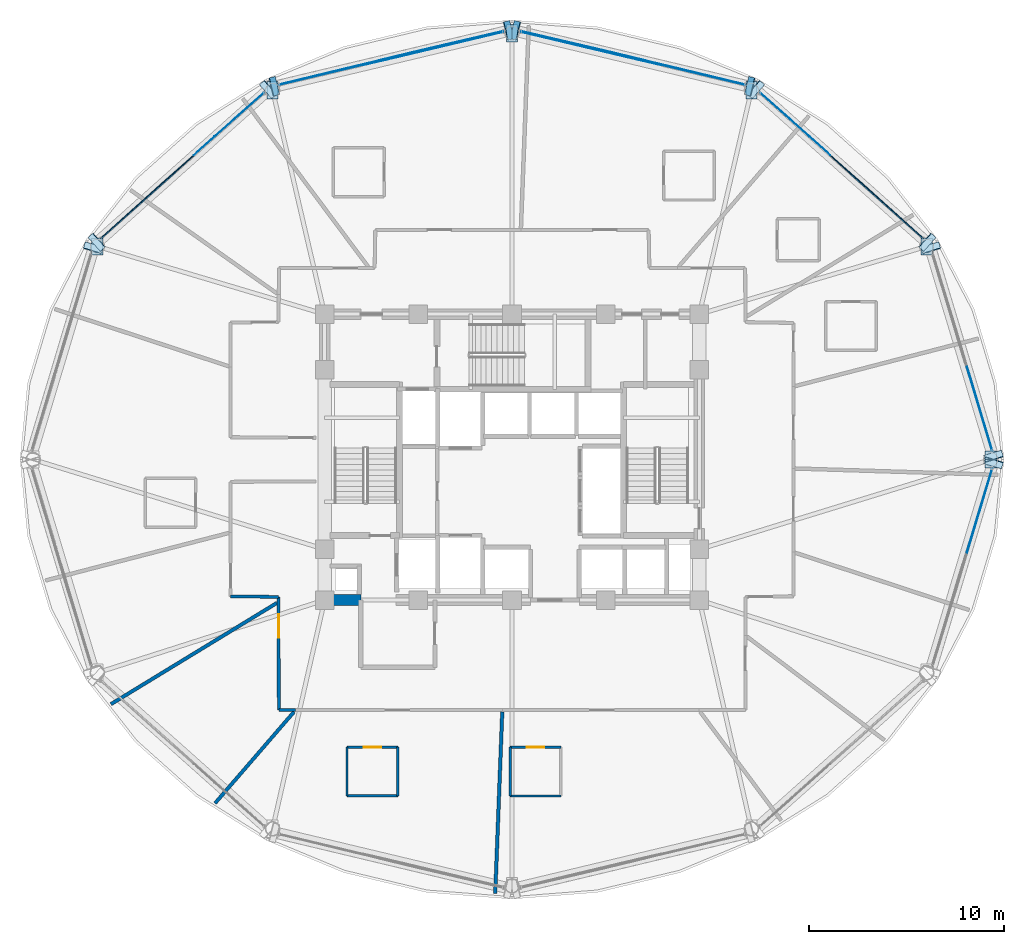
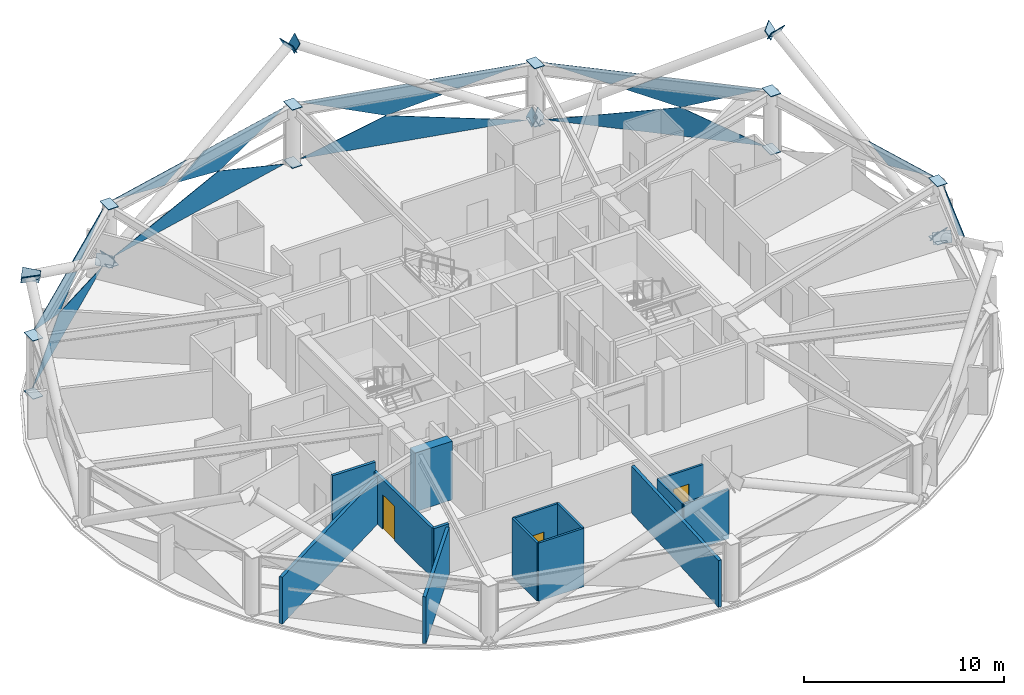
# One storey, part 21 of 29: 38 plates, 14 walls, 3 doors, 3 openings, 6 elements without a shape of their own.
"""IFC4 building model written with IfcOpenShell, lengths in metres."""

from ifc_helpers import new_model, si_unit, direction, frame, frame_2d, origin, place, context, subcontext, project, spatial, polyline, rectangle, outline, extrude, material, layer, layer_set, type_object, element, fill, aggregate, save


model = new_model("IFC4")

# Units and contexts
model_context = context("Model", 3, precision=1e-05, world=origin(), true_north=direction((0.0, 1.0)))
body_context = subcontext(model_context, "Body", "Model", "MODEL_VIEW")
ifc_project = project(units=[si_unit("LENGTHUNIT", "METRE"), si_unit("AREAUNIT", "SQUARE_METRE"), si_unit("VOLUMEUNIT", "CUBIC_METRE"), si_unit("PLANEANGLEUNIT", "RADIAN"), si_unit("MASSUNIT", "GRAM", prefix="KILO")], contexts=[model_context])

# Site, building, storey
site_placement = place(None, origin())
site = spatial("IfcSite", under=ifc_project, at=site_placement, CompositionType="ELEMENT")
building_placement = place(site_placement, origin())
building = spatial("IfcBuilding", under=site, at=building_placement, Name="Vantalir Tower", CompositionType="ELEMENT")
storey_placement = place(building_placement, frame((0.0, 0.0, 164.699951171875)))
storey = spatial("IfcBuildingStorey", under=building, at=storey_placement, Name="L41", CompositionType="ELEMENT", Elevation=164.699951171875)

# Curtain wall, plate
ifc_material_1 = material(Name="Champagne-silver PVDF aluminium and double-silver Low-E glass", Category="aluminium")
ifc_layer_1 = layer(ifc_material_1, 0.199951171875)
ifc_layer_set_1 = layer_set([ifc_layer_1], Name="Champagne-silver PVDF aluminium and double-silver Low-E glass")
curtain_wall_type = type_object("IfcCurtainWallType", Name="CW-DIAMOND-Z2", PredefinedType="USERDEFINED", material=ifc_layer_set_1)
curtain_wall_1_placement = place(storey_placement, origin())
curtain_wall_1 = element("IfcCurtainWall", 1, at=curtain_wall_1_placement, inside=storey, type_object=curtain_wall_type, Name="L41 Quilted Pyramid-Diamond Curtain Wall S01", ObjectType="UNITISED CURTAIN WALL", PredefinedType="USERDEFINED")
ifc_material_2 = material(Name="Double-silver Low-E laminated glass IGU", Category="glass")
ifc_layer_2 = layer(ifc_material_2, 0.028076171875)
ifc_layer_set_2 = layer_set([ifc_layer_2], Name="Double-silver Low-E laminated glass IGU")
plate_type_1 = type_object("IfcPlateType", Name="CWP-IGU-28", PredefinedType="CURTAIN_PANEL", material=ifc_layer_set_2)
plate_1_placement = place(storey_placement, frame((56.125732421875, 25.44482421875, 3.52392578125), z_axis=(0.9575541234, 0.28792231701, 0.013814489769), x_axis=(-0.287949794509, 0.957645506355, 0.0)))
plate_1 = element("IfcPlate", 2, at=plate_1_placement, type_object=plate_type_1, Name="CW-L41-S01 Pyramid Diamond Facet 2U Infill Light", PredefinedType="CURTAIN_PANEL", context=body_context, shape_type="SweptSolid", body=[
    extrude(outline(polyline([(0.0, 0.0), (4.539433370595973, -3.469446951953614e-18), (3.1908924635289506, -0.8391914076434289), (0.0, 0.0)])), origin(), (0.0, 0.0, -1.0), 0.028076171875),
])
aggregate(curtain_wall_1, [plate_1])

# Curtain wall, plates
curtain_wall_2_placement = place(storey_placement, origin())
curtain_wall_2 = element("IfcCurtainWall", 3, at=curtain_wall_2_placement, inside=storey, type_object=curtain_wall_type, Name="L41 Quilted Pyramid-Diamond Curtain Wall S02", ObjectType="UNITISED CURTAIN WALL", PredefinedType="USERDEFINED")
plate_2_placement = place(storey_placement, frame((52.573486328125, 36.32177734375, 0.046630859375), z_axis=(-0.66528334126, -0.746467581282, 0.013572985559), x_axis=(-0.746536546597, 0.665344410153, -2.1773166e-05)))
plate_2 = element("IfcPlate", 4, at=plate_2_placement, type_object=plate_type_1, Name="CW-L41-S02 Pyramid Diamond Facet 1L", PredefinedType="CURTAIN_PANEL", context=body_context, shape_type="SweptSolid", body=[
    extrude(outline(polyline([(0.0, 0.0), (11.212913349702017, -2.439454888092385e-18), (4.262443968601762, -1.726814376634722), (0.0, 0.0)])), origin(), (0.0, 0.0, -1.0), 0.028076171875),
])
plate_3_placement = place(storey_placement, frame((52.573486328125, 36.32177734375, 3.5234375), z_axis=(0.665284746935, 0.746466358642, 0.013571326833), x_axis=(-0.746535110684, 0.665346021643, 1.3054e-08)))
plate_3 = element("IfcPlate", 5, at=plate_3_placement, type_object=plate_type_1, Name="CW-L41-S02 Pyramid Diamond Facet 2U", PredefinedType="CURTAIN_PANEL", context=body_context, shape_type="SweptSolid", body=[
    extrude(outline(polyline([(0.0, 0.0), (5.2773055577089405, -6.938893903907228e-18), (7.0349053178942125, -1.0379374772433476), (4.262481590385309, -1.7267215086465038), (0.0, 0.0)])), origin(), (0.0, 0.0, -1.0), 0.028076171875),
])
plate_4_placement = place(storey_placement, frame((47.818359375, 40.6025390625, 3.52392578125), z_axis=(0.665290625573, 0.746460928096, 0.013581839025), x_axis=(-0.746530243373, 0.665351480917, 5.0705036e-05)))
plate_4 = element("IfcPlate", 6, at=plate_4_placement, type_object=plate_type_1, Name="CW-L41-S02 Pyramid Diamond Facet 2U Infill Light", PredefinedType="CURTAIN_PANEL", context=body_context, shape_type="SweptSolid", body=[
    extrude(outline(polyline([(0.0, 0.0), (4.8149186905465395, -3.2526065174565133e-18), (1.4258783567562363, -0.8419468343074633), (0.0, 0.0)])), origin(), (0.0, 0.0, -1.0), 0.028076171875),
])
aggregate(curtain_wall_2, [plate_2, plate_3, plate_4])

curtain_wall_3_placement = place(storey_placement, origin())
curtain_wall_3 = element("IfcCurtainWall", 7, at=curtain_wall_3_placement, inside=storey, type_object=curtain_wall_type, Name="L41 Quilted Pyramid-Diamond Curtain Wall S03", ObjectType="UNITISED CURTAIN WALL", PredefinedType="USERDEFINED")
plate_5_placement = place(storey_placement, frame((43.42041015625, 44.190673828125, 0.04638671875), z_axis=(-0.23230664028, -0.972544806616, 0.013792171923), x_axis=(-0.972637253993, 0.232329016088, 2.0688247e-05)))
plate_5 = element("IfcPlate", 8, at=plate_5_placement, type_object=plate_type_1, Name="CW-L41-S03 Pyramid Diamond Facet 1L", PredefinedType="CURTAIN_PANEL", context=body_context, shape_type="SweptSolid", body=[
    extrude(outline(polyline([(0.0, 0.0), (11.80093328383699, 3.63207727782644e-18), (7.310838030536996, -1.727063805505865), (0.0, 0.0)])), origin(), (0.0, 0.0, -1.0), 0.028076171875),
])
plate_6_placement = place(storey_placement, frame((37.353271484375, 45.639892578125, 3.523681640625), z_axis=(0.232307073928, 0.972544654248, 0.013795611507), x_axis=(-0.972637072633, 0.232329772121, -4.3895257e-05)))
plate_6 = element("IfcPlate", 9, at=plate_6_placement, type_object=plate_type_1, Name="CW-L41-S03 Pyramid Diamond Facet 2U", PredefinedType="CURTAIN_PANEL", context=body_context, shape_type="SweptSolid", body=[
    extrude(outline(polyline([(0.0, 0.0), (5.563112621645812, -1.4907779871675686e-18), (1.0730574642507675, -1.7271680449598936), (-1.8432050595736666, -1.038265705588733), (0.0, 0.0)])), origin(), (0.0, 0.0, -1.0), 0.028076171875),
])
plate_7_placement = place(storey_placement, frame((43.427978515625, 44.221923828125, 3.524169921875), z_axis=(0.232273422085, 0.972551685024, 0.01386641082), x_axis=(-0.972645042347, 0.232296403945, -4.8074587e-05)))
plate_7 = element("IfcPlate", 10, at=plate_7_placement, type_object=plate_type_1, Name="CW-L41-S03 Pyramid Diamond Facet 2U Infill Light", PredefinedType="CURTAIN_PANEL", context=body_context, shape_type="SweptSolid", body=[
    extrude(outline(polyline([(0.0, 0.0), (5.078371769704653, 1.81603863891322e-18), (3.5779308257784908, -0.8451240901960686), (0.0, 0.0)])), origin(), (0.0, 0.0, -1.0), 0.028076171875),
])
aggregate(curtain_wall_3, [plate_5, plate_6, plate_7])

curtain_wall_4_placement = place(storey_placement, origin())
curtain_wall_4 = element("IfcCurtainWall", 11, at=curtain_wall_4_placement, inside=storey, type_object=curtain_wall_type, Name="L41 Quilted Pyramid-Diamond Curtain Wall S04", ObjectType="UNITISED CURTAIN WALL", PredefinedType="USERDEFINED")
plate_8_placement = place(storey_placement, frame((31.0576171875, 46.932373046875, 0.046630859375), z_axis=(0.23230664028, -0.972544806616, 0.013792171923), x_axis=(-0.972637253993, -0.232329016088, -2.0688247e-05)))
plate_8 = element("IfcPlate", 12, at=plate_8_placement, type_object=plate_type_1, Name="CW-L41-S04 Pyramid Diamond Facet 1L", PredefinedType="CURTAIN_PANEL", context=body_context, shape_type="SweptSolid", body=[
    extrude(outline(polyline([(0.0, 0.0), (11.80093328383699, -3.63207727782644e-18), (4.4900952532999945, -1.7270638055058651), (0.0, 0.0)])), origin(), (0.0, 0.0, -1.0), 0.028076171875),
])
plate_9_placement = place(storey_placement, frame((31.0576171875, 46.932373046875, 3.5234375), z_axis=(-0.232307073928, 0.972544654248, 0.013795611507), x_axis=(-0.972637072633, -0.232329772121, 4.3895257e-05)))
plate_9 = element("IfcPlate", 13, at=plate_9_placement, type_object=plate_type_1, Name="CW-L41-S04 Pyramid Diamond Facet 2U", PredefinedType="CURTAIN_PANEL", context=body_context, shape_type="SweptSolid", body=[
    extrude(outline(polyline([(0.0, 0.0), (5.563112621645812, 1.4907779871675686e-18), (7.4063176812194795, -1.038265705588733), (4.490055157395045, -1.7271680449598936), (0.0, 0.0)])), origin(), (0.0, 0.0, -1.0), 0.028076171875),
])
plate_10_placement = place(storey_placement, frame((24.511474609375, 45.401611328125, 3.52392578125), z_axis=(-0.232273422085, 0.972551685024, 0.01386641082), x_axis=(-0.972645042347, -0.232296403945, 4.8074587e-05)))
plate_10 = element("IfcPlate", 14, at=plate_10_placement, type_object=plate_type_1, Name="CW-L41-S04 Pyramid Diamond Facet 2U Infill Light", PredefinedType="CURTAIN_PANEL", context=body_context, shape_type="SweptSolid", body=[
    extrude(outline(polyline([(0.0, 0.0), (5.078371769704653, -1.81603863891322e-18), (1.5004409439261621, -0.8451240901960685), (0.0, 0.0)])), origin(), (0.0, 0.0, -1.0), 0.028076171875),
])
aggregate(curtain_wall_4, [plate_8, plate_9, plate_10])

curtain_wall_5_placement = place(storey_placement, origin())
curtain_wall_5 = element("IfcCurtainWall", 15, at=curtain_wall_5_placement, inside=storey, type_object=curtain_wall_type, Name="L41 Quilted Pyramid-Diamond Curtain Wall S05", ObjectType="UNITISED CURTAIN WALL", PredefinedType="USERDEFINED")
plate_11_placement = place(storey_placement, frame((18.79736328125, 43.7822265625, 0.04638671875), z_axis=(0.66528334126, -0.746467581282, 0.013572985559), x_axis=(-0.746536546597, -0.665344410153, 2.1773166e-05)))
plate_11 = element("IfcPlate", 16, at=plate_11_placement, type_object=plate_type_1, Name="CW-L41-S05 Pyramid Diamond Facet 1L", PredefinedType="CURTAIN_PANEL", context=body_context, shape_type="SweptSolid", body=[
    extrude(outline(polyline([(0.0, 0.0), (11.212913349702017, 2.439454888092385e-18), (6.950469381100256, -1.726814376634722), (0.0, 0.0)])), origin(), (0.0, 0.0, -1.0), 0.028076171875),
])
plate_12_placement = place(storey_placement, frame((14.3662109375, 39.8330078125, 3.5234375), z_axis=(-0.665284746935, 0.746466358642, 0.013571326833), x_axis=(-0.746535110684, -0.665346021643, -1.3054e-08)))
plate_12 = element("IfcPlate", 17, at=plate_12_placement, type_object=plate_type_1, Name="CW-L41-S05 Pyramid Diamond Facet 2U", PredefinedType="CURTAIN_PANEL", context=body_context, shape_type="SweptSolid", body=[
    extrude(outline(polyline([(0.0, 0.0), (5.2773055577089405, 6.938893903907228e-18), (1.0148239673236321, -1.7267215086465038), (-1.7575997601852713, -1.0379374772433476), (0.0, 0.0)])), origin(), (0.0, 0.0, -1.0), 0.028076171875),
])
plate_13_placement = place(storey_placement, frame((18.776123046875, 43.80615234375, 3.524169921875), z_axis=(-0.665290625573, 0.746460928096, 0.013581839025), x_axis=(-0.746530243373, -0.665351480917, -5.0705036e-05)))
plate_13 = element("IfcPlate", 18, at=plate_13_placement, type_object=plate_type_1, Name="CW-L41-S05 Pyramid Diamond Facet 2U Infill Light", PredefinedType="CURTAIN_PANEL", context=body_context, shape_type="SweptSolid", body=[
    extrude(outline(polyline([(0.0, 0.0), (4.8149186905465395, 3.2526065174565133e-18), (3.3890403337903034, -0.8419468343074633), (0.0, 0.0)])), origin(), (0.0, 0.0, -1.0), 0.028076171875),
])
aggregate(curtain_wall_5, [plate_11, plate_12, plate_13])

# Curtain wall, plate
curtain_wall_6_placement = place(storey_placement, origin())
curtain_wall_6 = element("IfcCurtainWall", 19, at=curtain_wall_6_placement, inside=storey, type_object=curtain_wall_type, Name="L41 Quilted Pyramid-Diamond Curtain Wall S12", ObjectType="UNITISED CURTAIN WALL", PredefinedType="USERDEFINED")
plate_14_placement = place(storey_placement, frame((54.818603515625, 20.2080078125, 3.52392578125), z_axis=(0.9575541234, -0.28792231701, 0.013814489769), x_axis=(0.287949794509, 0.957645506355, 0.0)))
plate_14 = element("IfcPlate", 20, at=plate_14_placement, type_object=plate_type_1, Name="CW-L41-S12 Pyramid Diamond Facet 2U Infill Light", PredefinedType="CURTAIN_PANEL", context=body_context, shape_type="SweptSolid", body=[
    extrude(outline(polyline([(0.0, 0.0), (4.539433370595973, 3.469446951953614e-18), (1.3485409070670233, -0.8391914076434289), (0.0, 0.0)])), origin(), (0.0, 0.0, -1.0), 0.028076171875),
])
aggregate(curtain_wall_6, [plate_14])

# Plates
ifc_material_3 = material(Name="Steel S460", Category="steel")
ifc_layer_3 = layer(ifc_material_3, 0.0400390625)
ifc_layer_set_3 = layer_set([ifc_layer_3], Name="Steel S460")
plate_type_2 = type_object("IfcPlateType", Name="PLT-KN-Z1", PredefinedType="USERDEFINED", material=ifc_layer_set_3)
plate_15_placement = place(storey_placement, frame((56.577880859375, 25.47900390625, -0.062744140625), z_axis=(-0.244366868744, 0.813065300334, 0.528402924721), x_axis=(-0.957678190256, -0.287841073569, 1.6593989e-05)))
element("IfcPlate", 21, at=plate_15_placement, inside=storey, type_object=plate_type_2, Name="Node Cap Plate MEM-DG-L41-R01L Start", ObjectType="FLANGE_PLATE", PredefinedType="USERDEFINED", context=body_context, shape_type="SweptSolid", body=[
    extrude(outline(polyline([(0.0, 0.0), (0.949875717600032, 0.0), (0.9499362094794686, 0.6199709225034394), (-0.00017331627248131672, 0.6200080586257846), (0.0, 0.0)])), origin(), (0.0, 0.0, -1.0), 0.0400390625),
])
plate_16_placement = place(storey_placement, frame((53.36669921875, 36.15966796875, 6.87744140625), z_axis=(-0.244404262537, 0.813080609117, 0.528362072382), x_axis=(-0.957670515675, -0.287866606966, 0.0)))
element("IfcPlate", 22, at=plate_16_placement, inside=storey, type_object=plate_type_2, Name="Node Cap Plate MEM-DG-L41-R01L End", ObjectType="FLANGE_PLATE", PredefinedType="USERDEFINED", context=body_context, shape_type="SweptSolid", body=[
    extrude(outline(polyline([(0.0, 0.0), (0.9498757180684223, 0.0), (0.9499362090110482, 0.6199709232211656), (6.0490942625959776e-05, 0.6199709232211656), (0.0, 0.0)])), origin(), (0.0, 0.0, -1.0), 0.0400390625),
])
plate_17_placement = place(storey_placement, frame((55.668212890625, 24.79443359375, -0.062744140625), z_axis=(-0.244366868744, -0.813065300334, 0.528402924721), x_axis=(0.957678190256, -0.287841073569, -1.6593989e-05)))
element("IfcPlate", 23, at=plate_17_placement, inside=storey, type_object=plate_type_2, Name="Node Cap Plate MEM-DG-L41-R01R Start", ObjectType="FLANGE_PLATE", PredefinedType="USERDEFINED", context=body_context, shape_type="SweptSolid", body=[
    extrude(outline(polyline([(0.0, 0.0), (0.949875717600032, 0.0), (0.9500490338725133, 0.6200080586257846), (-6.049187943658024e-05, 0.6199709225034395), (0.0, 0.0)])), origin(), (0.0, 0.0, -1.0), 0.0400390625),
])
plate_18_placement = place(storey_placement, frame((43.632080078125, 44.62841796875, -0.078125), z_axis=(-0.847356739208, 0.202407317279, 0.490935672396), x_axis=(-0.232339744414, -0.972634691445, -1.277077e-05)))
element("IfcPlate", 24, at=plate_18_placement, inside=storey, type_object=plate_type_2, Name="Node Cap Plate MEM-DG-L41-R07L Start", ObjectType="FLANGE_PLATE", PredefinedType="USERDEFINED", context=body_context, shape_type="SweptSolid", body=[
    extrude(outline(polyline([(0.0, 0.0), (0.9498253909615704, 1.3877787807814457e-17), (0.9498760962426865, 0.6201766793435843), (-0.00018675436034987924, 0.6201488290774598), (0.0, 0.0)])), origin(), (0.0, 0.0, -1.0), 0.0400390625),
])
plate_19_placement = place(storey_placement, frame((31.62158203125, 47.497314453125, 6.877685546875), z_axis=(-0.847356739208, 0.202407317279, 0.490935672396), x_axis=(-0.232325746861, -0.972638035028, 1.2767578e-05)))
element("IfcPlate", 25, at=plate_19_placement, inside=storey, type_object=plate_type_2, Name="Node Cap Plate MEM-DG-L41-R07L End", ObjectType="FLANGE_PLATE", PredefinedType="USERDEFINED", context=body_context, shape_type="SweptSolid", body=[
    extrude(outline(polyline([(0.0, 0.0), (0.9500628510112396, 0.0), (0.9498942757744965, 0.6201488342855489), (6.888522102741793e-05, 0.6201766775907386), (0.0, 0.0)])), origin(), (0.0, 0.0, -1.0), 0.0400390625),
])
for number, where, z_axis, x_axis, name in (
    (26, (43.811279296875, 43.494873046875, -0.071044921875), (0.642864288433, -0.572934816782, 0.508400631763), (0.665336277327, 0.746543795147, 0.0), "Node Cap Plate MEM-DG-L41-R07R Start"),
    (27, (52.59375, 35.667236328125, 6.87744140625), (0.642864288433, -0.572934816782, 0.508400631763), (0.665336277327, 0.746543795147, 0.0), "Node Cap Plate MEM-DG-L41-R07R End"),
):
    element("IfcPlate", number, at=place(storey_placement, frame(where, z_axis=z_axis, x_axis=x_axis)), inside=storey, type_object=plate_type_2, Name=name, ObjectType="FLANGE_PLATE", PredefinedType="USERDEFINED", context=body_context, shape_type="SweptSolid", body=[
        extrude(outline(polyline([(0.0, 0.0), (0.9500159538334854, -2.7755575615628914e-17), (0.9499907948217251, 0.6200473050069897), (-2.5159011760256256e-05, 0.6200473050069897), (0.0, 0.0)])), origin(), (0.0, 0.0, -1.0), 0.0400390625),
    ])
for number, where, z_axis, x_axis, name in (
    (28, (18.556640625, 44.2041015625, -0.071044921875), (-0.642864288433, -0.572934816782, 0.508400631763), (0.665336277327, -0.746543795147, 0.0), "Node Cap Plate MEM-DG-L41-R13L Start"),
    (29, (9.774169921875, 36.37646484375, 6.87744140625), (-0.642864288433, -0.572934816782, 0.508400631763), (0.665336277327, -0.746543795147, 0.0), "Node Cap Plate MEM-DG-L41-R13L End"),
):
    element("IfcPlate", number, at=place(storey_placement, frame(where, z_axis=z_axis, x_axis=x_axis)), inside=storey, type_object=plate_type_2, Name=name, ObjectType="FLANGE_PLATE", PredefinedType="USERDEFINED", context=body_context, shape_type="SweptSolid", body=[
        extrude(outline(polyline([(0.0, 0.0), (0.9500159538334854, 2.7755575615628914e-17), (0.9500411128452457, 0.6200473050069897), (2.5159011760256256e-05, 0.6200473050069897), (0.0, 0.0)])), origin(), (0.0, 0.0, -1.0), 0.0400390625),
    ])
plate_20_placement = place(storey_placement, frame((19.588623046875, 43.70458984375, -0.078125), z_axis=(0.847356739208, 0.202407317279, 0.490935672396), x_axis=(-0.232339744414, 0.972634691445, 1.277077e-05)))
element("IfcPlate", 30, at=plate_20_placement, inside=storey, type_object=plate_type_2, Name="Node Cap Plate MEM-DG-L41-R13R Start", ObjectType="FLANGE_PLATE", PredefinedType="USERDEFINED", context=body_context, shape_type="SweptSolid", body=[
    extrude(outline(polyline([(0.0, 0.0), (0.9498253909615704, -1.3877787807814457e-17), (0.9500121453219201, 0.6201488290774599), (-5.070528111623251e-05, 0.6201766793435843), (0.0, 0.0)])), origin(), (0.0, 0.0, -1.0), 0.0400390625),
])
plate_21_placement = place(storey_placement, frame((31.59912109375, 46.5732421875, 6.877685546875), z_axis=(0.847356739208, 0.202407317279, 0.490935672396), x_axis=(-0.232325746861, 0.972638035028, -1.2767578e-05)))
element("IfcPlate", 31, at=plate_21_placement, inside=storey, type_object=plate_type_2, Name="Node Cap Plate MEM-DG-L41-R13R End", ObjectType="FLANGE_PLATE", PredefinedType="USERDEFINED", context=body_context, shape_type="SweptSolid", body=[
    extrude(outline(polyline([(0.0, 0.0), (0.9500628510112396, 0.0), (0.949993965790212, 0.6201766775907386), (0.00016857523674299575, 0.6201488342855489), (0.0, 0.0)])), origin(), (0.0, 0.0, -1.0), 0.0400390625),
])
plate_22_placement = place(storey_placement, frame((10.54296875, 35.88623046875, 6.87744140625), z_axis=(0.244404262537, 0.813080609117, 0.528362072382), x_axis=(-0.957670515675, 0.287866606966, 0.0)))
element("IfcPlate", 32, at=plate_22_placement, inside=storey, type_object=plate_type_2, Name="Node Cap Plate MEM-DG-L41-R19R End", ObjectType="FLANGE_PLATE", PredefinedType="USERDEFINED", context=body_context, shape_type="SweptSolid", body=[
    extrude(outline(polyline([(0.0, 0.0), (0.9498757180684223, 0.0), (0.9498152271257964, 0.6199709232211656), (-6.0490942625959776e-05, 0.6199709232211656), (0.0, 0.0)])), origin(), (0.0, 0.0, -1.0), 0.0400390625),
])
ifc_layer_4 = layer(ifc_material_3, 0.035888671875)
ifc_layer_set_4 = layer_set([ifc_layer_4], Name="Steel S460")
plate_type_3 = type_object("IfcPlateType", Name="PLT-KN-Z2", PredefinedType="USERDEFINED", material=ifc_layer_set_4)
for number, where, z_axis, x_axis, name in (
    (33, (55.74609375, 25.43994140625, 3.59814453125), (0.0, 0.0, 1.0), (0.0, -1.0, 0.0), "L41 Ring Column Top Cap RC01"),
    (34, (55.74609375, 25.43994140625, 0.052978515625), (0.0, 0.0, 1.0), (0.0, -1.0, 0.0), "L41 Ring Column Base Cap RC01"),
):
    element("IfcPlate", number, at=place(storey_placement, frame(where, z_axis=z_axis, x_axis=x_axis)), inside=storey, type_object=plate_type_3, Name=name, ObjectType="FLANGE_PLATE", PredefinedType="USERDEFINED", context=body_context, shape_type="SweptSolid", body=[
        extrude(outline(polyline([(0.0, 0.0), (0.8798828125, 0.0), (0.8798828125, 0.579833984375), (0.0, 0.579833984375), (0.0, 0.0)])), origin(), (0.0, 0.0, -1.0), 0.035888671875),
    ])
for number, where, z_axis, x_axis, name in (
    (35, (52.458984375, 36.364013671875, 3.59814453125), (0.0, 0.0, 1.0), (0.0, -1.0, 0.0), "L41 Ring Column Top Cap RC02"),
    (36, (52.458984375, 36.364013671875, 0.052978515625), (0.0, 0.0, 1.0), (0.0, -1.0, 0.0), "L41 Ring Column Base Cap RC02"),
    (37, (43.47802734375, 44.361083984375, 3.59814453125), (0.0, 0.0, 1.0), (0.0, -1.0, 0.0), "L41 Ring Column Top Cap RC03"),
    (38, (43.47802734375, 44.361083984375, 0.052978515625), (0.0, 0.0, 1.0), (0.0, -1.0, 0.0), "L41 Ring Column Base Cap RC03"),
    (39, (31.2099609375, 47.2880859375, 3.59814453125), (0.0, 0.0, 1.0), (0.0, -1.0, 0.0), "L41 Ring Column Top Cap RC04"),
    (40, (31.2099609375, 47.2880859375, 0.052978515625), (0.0, 0.0, 1.0), (0.0, -1.0, 0.0), "L41 Ring Column Base Cap RC04"),
    (41, (18.94189453125, 44.361083984375, 3.59814453125), (0.0, 0.0, 1.0), (0.0, -1.0, 0.0), "L41 Ring Column Top Cap RC05"),
    (42, (18.94189453125, 44.361083984375, 0.052978515625), (0.0, 0.0, 1.0), (0.0, -1.0, 0.0), "L41 Ring Column Base Cap RC05"),
    (43, (9.9609375, 36.364013671875, 3.59814453125), (0.0, 0.0, 1.0), (0.0, -1.0, 0.0), "L41 Ring Column Top Cap RC06"),
    (44, (9.9609375, 36.364013671875, 0.052978515625), (0.0, 0.0, 1.0), (0.0, -1.0, 0.0), "L41 Ring Column Base Cap RC06"),
):
    element("IfcPlate", number, at=place(storey_placement, frame(where, z_axis=z_axis, x_axis=x_axis)), inside=storey, type_object=plate_type_3, Name=name, ObjectType="FLANGE_PLATE", PredefinedType="USERDEFINED", context=body_context, shape_type="SweptSolid", body=[
        extrude(outline(polyline([(0.0, 0.0), (0.880126953125, 0.0), (0.880126953125, 0.580078125), (0.0, 0.580078125), (0.0, 0.0)])), origin(), (0.0, 0.0, -1.0), 0.035888671875),
    ])

# Wall
ifc_material_4 = material(Name="Moisture-resistant en-suite partition", Category="gypsum")
ifc_layer_5 = layer(ifc_material_4, 0.125)
ifc_layer_set_5 = layer_set([ifc_layer_5], Name="Moisture-resistant en-suite partition")
wall_type_1 = type_object("IfcWallType", Name="WL-BATH-125", PredefinedType="PARTITIONING", material=ifc_layer_set_5)
wall_1_placement = place(storey_placement, frame((23.0458984375, 7.764892578125, 0.0), z_axis=(0.0, 0.0, 1.0), x_axis=(1.0, 0.0, 0.0)))
element("IfcWall", 45, at=wall_1_placement, inside=storey, type_object=wall_type_1, Name="L41 En-suite 10 South Wall", PredefinedType="PARTITIONING", context=body_context, shape_type="SweptSolid", body=[
    extrude(rectangle(XDim=2.60009765625, YDim=0.125, at=frame_2d((1.300048828125, 0.0))), origin(), (0.0, 0.0, 1.0), 3.550048828125),
])

# Wall, opening, door
wall_2_placement = place(storey_placement, frame((23.0458984375, 10.264892578125, 0.0), z_axis=(0.0, 0.0, 1.0), x_axis=(1.0, 0.0, 0.0)))
wall_2 = element("IfcWall", 46, at=wall_2_placement, inside=storey, type_object=wall_type_1, Name="L41 En-suite 10 North Wall", PredefinedType="PARTITIONING", context=body_context, shape_type="SweptSolid", body=[
    extrude(rectangle(XDim=2.60009765625, YDim=0.125, at=frame_2d((1.300048828125, 0.0))), origin(), (0.0, 0.0, 1.0), 3.550048828125),
])
opening_1_placement = place(wall_2_placement, frame((0.85009765625, 0.0, 0.0)))
opening_1 = element("IfcOpeningElement", 47, at=opening_1_placement, cuts=wall_2, Name="Opening D-WC", PredefinedType="OPENING", context=body_context, shape_type="SweptSolid", body=[
    extrude(rectangle(XDim=0.89990234375, YDim=2.10009765625, at=frame_2d((0.449951171875, 1.050048828125))), frame((0.0, 0.072509765625, 0.0), z_axis=(0.0, -1.0, 0.0), x_axis=(1.0, 0.0, 0.0)), (0.0, 0.0, 1.0), 0.14501953125),
])
ifc_material_5 = material(Name="Moisture-resistant hardwood door", Category="wood")
door_type_1 = type_object("IfcDoorType", Name="DR-ENSUITE-900", OperationType="NOTDEFINED", PredefinedType="DOOR", material=ifc_material_5)
door_1_placement = place(opening_1_placement, frame((0.89990234375, 0.0, 0.0), z_axis=(0.0, 0.0, 1.0), x_axis=(-1.0, 0.0, 0.0)))
door_1 = element("IfcDoor", 48, at=door_1_placement, inside=storey, type_object=door_type_1, Name="L41 En-suite 10 Door", OperationType="SINGLE_SWING_RIGHT", OverallHeight=2.10009765625, OverallWidth=0.89990234375, PredefinedType="DOOR", context=body_context, shape_type="SweptSolid", body=[
    extrude(rectangle(XDim=0.89990234375, YDim=2.10009765625, at=frame_2d((0.449951171875, 1.050048828125))), frame((0.0, 0.02490234375, 0.0), z_axis=(0.0, -1.0, 0.0), x_axis=(1.0, 0.0, 0.0)), (0.0, 0.0, 1.0), 0.050048828125),
])
fill(opening_1, door_1)

# Walls
for number, where, z_axis, x_axis, name in (
    (49, (23.0458984375, 7.764892578125, 0.0), (0.0, 0.0, 1.0), (0.0, 1.0, 0.0), "L41 En-suite 10 West Wall"),
    (50, (25.64599609375, 7.764892578125, 0.0), (0.0, 0.0, 1.0), (0.0, 1.0, 0.0), "L41 En-suite 10 East Wall"),
):
    element("IfcWall", number, at=place(storey_placement, frame(where, z_axis=z_axis, x_axis=x_axis)), inside=storey, type_object=wall_type_1, Name=name, PredefinedType="PARTITIONING", context=body_context, shape_type="SweptSolid", body=[
        extrude(rectangle(XDim=2.5, YDim=0.125, at=frame_2d((1.25, 0.0))), origin(), (0.0, 0.0, 1.0), 3.550048828125),
    ])
wall_3_placement = place(storey_placement, frame((31.402099609375, 7.760009765625, 0.0), z_axis=(0.0, 0.0, 1.0), x_axis=(1.0, 0.0, 0.0)))
element("IfcWall", 51, at=wall_3_placement, inside=storey, type_object=wall_type_1, Name="L41 En-suite 11 South Wall", PredefinedType="PARTITIONING", context=body_context, shape_type="SweptSolid", body=[
    extrude(rectangle(XDim=2.599853515625, YDim=0.125, at=frame_2d((1.2998046875, 0.0))), origin(), (0.0, 0.0, 1.0), 3.006103515625),
])

# Wall, opening, door
wall_4_placement = place(storey_placement, frame((31.402099609375, 10.260009765625, 0.0), z_axis=(0.0, 0.0, 1.0), x_axis=(1.0, 0.0, 0.0)))
wall_4 = element("IfcWall", 52, at=wall_4_placement, inside=storey, type_object=wall_type_1, Name="L41 En-suite 11 North Wall", PredefinedType="PARTITIONING", context=body_context, shape_type="SweptSolid", body=[
    extrude(rectangle(XDim=2.599853515625, YDim=0.125, at=frame_2d((1.2998046875, 0.0))), origin(), (0.0, 0.0, 1.0), 3.006103515625),
])
opening_2_placement = place(wall_4_placement, frame((0.85009765625, 0.0, 0.0)))
opening_2 = element("IfcOpeningElement", 53, at=opening_2_placement, cuts=wall_4, Name="Opening D-WC", PredefinedType="OPENING", context=body_context, shape_type="SweptSolid", body=[
    extrude(rectangle(XDim=0.89990234375, YDim=2.10009765625, at=frame_2d((0.449951171875, 1.050048828125))), frame((0.0, 0.072509765625, 0.0), z_axis=(0.0, -1.0, 0.0), x_axis=(1.0, 0.0, 0.0)), (0.0, 0.0, 1.0), 0.14501953125),
])
door_2_placement = place(opening_2_placement, frame((0.89990234375, 0.0, 0.0), z_axis=(0.0, 0.0, 1.0), x_axis=(-1.0, 0.0, 0.0)))
door_2 = element("IfcDoor", 54, at=door_2_placement, inside=storey, type_object=door_type_1, Name="L41 En-suite 11 Door", OperationType="SINGLE_SWING_LEFT", OverallHeight=2.10009765625, OverallWidth=0.89990234375, PredefinedType="DOOR", context=body_context, shape_type="SweptSolid", body=[
    extrude(rectangle(XDim=0.89990234375, YDim=2.10009765625, at=frame_2d((0.449951171875, 1.050048828125))), frame((0.0, 0.02490234375, 0.0), z_axis=(0.0, -1.0, 0.0), x_axis=(1.0, 0.0, 0.0)), (0.0, 0.0, 1.0), 0.050048828125),
])
fill(opening_2, door_2)

# Walls
wall_5_placement = place(storey_placement, frame((31.402099609375, 7.760009765625, 0.0), z_axis=(0.0, 0.0, 1.0), x_axis=(0.0, 1.0, 0.0)))
element("IfcWall", 55, at=wall_5_placement, inside=storey, type_object=wall_type_1, Name="L41 En-suite 11 West Wall", PredefinedType="PARTITIONING", context=body_context, shape_type="SweptSolid", body=[
    extrude(rectangle(XDim=2.5, YDim=0.125, at=frame_2d((1.25, 0.0))), origin(), (0.0, 0.0, 1.0), 3.006103515625),
])
ifc_material_6 = material(Name="Concrete C60/75", Category="concrete")
ifc_layer_6 = layer(ifc_material_6, 0.550048828125)
ifc_layer_set_6 = layer_set([ifc_layer_6], Name="Concrete C60/75")
wall_type_2 = type_object("IfcWallType", Name="WL-CORE-550", PredefinedType="SHEAR", material=ifc_layer_set_6)
wall_6_placement = place(storey_placement, frame((21.625, 17.800048828125, 0.0), z_axis=(0.0, 0.0, 1.0), x_axis=(1.0, 0.0, 0.0)))
element("IfcWall", 56, at=wall_6_placement, inside=storey, type_object=wall_type_2, Name="L41 Core Shear Wall South-West", PredefinedType="SHEAR", context=body_context, shape_type="SweptSolid", body=[
    extrude(rectangle(XDim=2.125, YDim=0.550048828125, at=frame_2d((1.0625, 0.0))), origin(), (0.0, 0.0, 1.0), 3.570068359375),
])
ifc_material_7 = material(Name="Fire-rated hotel corridor acoustic partition", Category="gypsum")
ifc_layer_7 = layer(ifc_material_7, 0.159912109375)
ifc_layer_set_7 = layer_set([ifc_layer_7], Name="Fire-rated hotel corridor acoustic partition")
wall_type_3 = type_object("IfcWallType", Name="WL-CORR-160", PredefinedType="PARTITIONING", material=ifc_layer_set_7)
wall_7_placement = place(storey_placement, frame((20.404052734375, 12.156982421875, 0.0), z_axis=(0.0, 0.0, 1.0), x_axis=(-1.0, 0.0, 0.0)))
element("IfcWall", 57, at=wall_7_placement, inside=storey, type_object=wall_type_3, Name="L41 Corridor Partition 26", PredefinedType="PARTITIONING", context=body_context, shape_type="SweptSolid", body=[
    extrude(rectangle(XDim=0.85107421875, YDim=0.159912109375, at=frame_2d((0.425537109375, 0.0))), origin(), (0.0, 0.0, 1.0), 3.006103515625),
])

# Wall, opening, door
wall_8_placement = place(storey_placement, frame((19.552978515625, 12.156982421875, 0.0), z_axis=(0.0, 0.0, 1.0), x_axis=(-0.003113283747, 0.99999515372, 0.0)))
wall_8 = element("IfcWall", 58, at=wall_8_placement, inside=storey, type_object=wall_type_3, Name="L41 Corridor Partition 27", PredefinedType="PARTITIONING", context=body_context, shape_type="SweptSolid", body=[
    extrude(rectangle(XDim=5.802978515625, YDim=0.159912109375, at=frame_2d((2.9013671875, 0.0))), origin(), (0.0, 0.0, 1.0), 3.006103515625),
])
opening_3_placement = place(wall_8_placement, frame((3.705078125, 0.0, 0.0)))
opening_3 = element("IfcOpeningElement", 59, at=opening_3_placement, cuts=wall_8, Name="Opening D-STE", PredefinedType="OPENING", context=body_context, shape_type="SweptSolid", body=[
    extrude(rectangle(XDim=1.199951171875, YDim=2.10009765625, at=frame_2d((0.60009765625, 1.050048828125))), frame((0.0, 0.08984375, 0.0), z_axis=(0.0, -1.0, 0.0), x_axis=(1.0, 0.0, 0.0)), (0.0, 0.0, 1.0), 0.179931640625),
])
ifc_material_8 = material(Name="Solid-core teak veneer suite entrance door", Category="wood")
door_type_2 = type_object("IfcDoorType", Name="DR-SUITE-ENTRY-1200", OperationType="NOTDEFINED", PredefinedType="DOOR", material=ifc_material_8)
door_3_placement = place(opening_3_placement, origin())
door_3 = element("IfcDoor", 60, at=door_3_placement, inside=storey, type_object=door_type_2, Name="L41 Executive Sky Boardroom 09 Door", OperationType="SINGLE_SWING_RIGHT", OverallHeight=2.10009765625, OverallWidth=1.199951171875, PredefinedType="DOOR", context=body_context, shape_type="SweptSolid", body=[
    extrude(rectangle(XDim=1.199951171875, YDim=2.10009765625, at=frame_2d((0.60009765625, 1.050048828125))), frame((0.0, 0.02490234375, 0.0), z_axis=(0.0, -1.0, 0.0), x_axis=(1.0, 0.0, 0.0)), (0.0, 0.0, 1.0), 0.050048828125),
])
fill(opening_3, door_3)

# Walls
wall_9_placement = place(storey_placement, frame((19.534912109375, 17.9599609375, 0.0), z_axis=(0.0, 0.0, 1.0), x_axis=(-0.999915428104, 0.013005254277, 0.0)))
element("IfcWall", 61, at=wall_9_placement, inside=storey, type_object=wall_type_3, Name="L41 Corridor Partition 28", PredefinedType="PARTITIONING", context=body_context, shape_type="SweptSolid", body=[
    extrude(rectangle(XDim=2.459228515625, YDim=0.159912109375, at=frame_2d((1.2294921875, 0.0))), origin(), (0.0, 0.0, 1.0), 3.550048828125),
])
ifc_material_9 = material(Name="Twin-stud acoustic fire-rated gypsum partition", Category="gypsum")
ifc_layer_8 = layer(ifc_material_9, 0.179931640625)
ifc_layer_set_8 = layer_set([ifc_layer_8], Name="Twin-stud acoustic fire-rated gypsum partition")
wall_type_4 = type_object("IfcWallType", Name="WL-GUEST-180", PredefinedType="PARTITIONING", material=ifc_layer_set_8)
wall_10_placement = place(storey_placement, frame((19.4599609375, 17.656005859375, 0.0), z_axis=(0.0, 0.0, 1.0), x_axis=(-0.853711993856, -0.520745457537, 0.0)))
element("IfcWall", 62, at=wall_10_placement, inside=storey, type_object=wall_type_4, Name="L41 Radial Suite Partition 09", PredefinedType="PARTITIONING", context=body_context, shape_type="SweptSolid", body=[
    extrude(rectangle(XDim=9.96826171875, YDim=0.179931640625, at=frame_2d((4.984130859375, 0.0))), origin(), (0.0, 0.0, 1.0), 2.85205078125),
])
wall_11_placement = place(storey_placement, frame((20.333984375, 12.074951171875, 0.0), z_axis=(0.0, 0.0, 1.0), x_axis=(-0.653796426348, -0.756670491624, 0.0)))
element("IfcWall", 63, at=wall_11_placement, inside=storey, type_object=wall_type_4, Name="L41 Radial Suite Partition 10", PredefinedType="PARTITIONING", context=body_context, shape_type="SweptSolid", body=[
    extrude(rectangle(XDim=6.191650390625, YDim=0.179931640625, at=frame_2d((3.095703125, 0.0))), origin(), (0.0, 0.0, 1.0), 2.85205078125),
])
wall_12_placement = place(storey_placement, frame((31.0009765625, 12.074951171875, 0.0), z_axis=(0.0, 0.0, 1.0), x_axis=(-0.038536822303, -0.999257180773, 0.0)))
element("IfcWall", 64, at=wall_12_placement, inside=storey, type_object=wall_type_4, Name="L41 Radial Suite Partition 11", PredefinedType="PARTITIONING", context=body_context, shape_type="SweptSolid", body=[
    extrude(rectangle(XDim=9.312744140625, YDim=0.179931640625, at=frame_2d((4.65625, 0.0))), origin(), (0.0, 0.0, 1.0), 2.85205078125),
])

save(model, "model.ifc")
